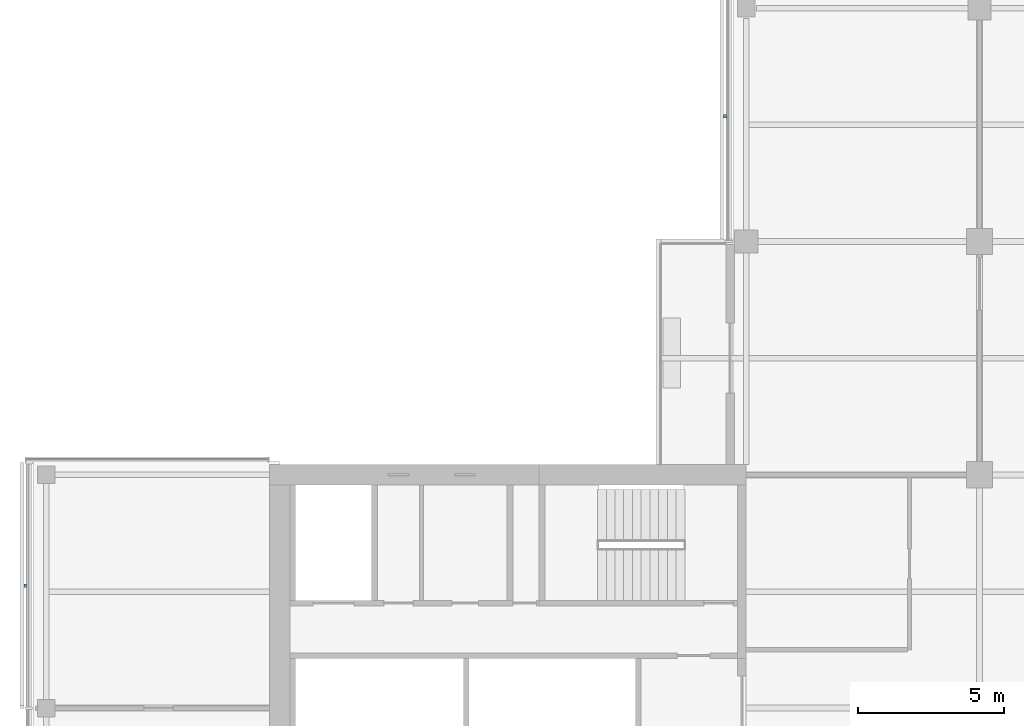
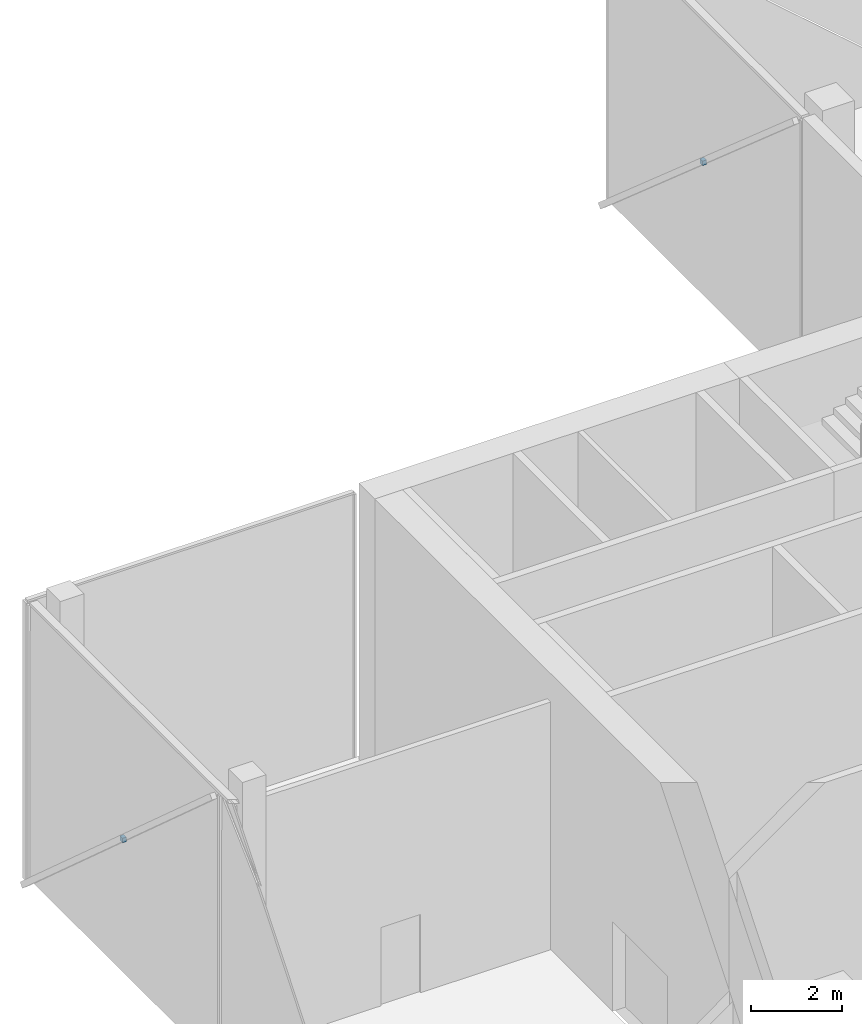
# One storey, part 16 of 20: 2 discrete accessories.
"""IFC4 building model written with IfcOpenShell, lengths in metres."""

from ifc_helpers import new_model, si_unit, direction, frame, origin, origin_2d, place, context, subcontext, project, spatial, rectangle, extrude, material, type_object, element, save


model = new_model("IFC4")

# Units and contexts
model_context = context("Model", 3, precision=1e-05, world=origin(), true_north=direction((0.0, 1.0)))
body_context = subcontext(model_context, "Body", "Model", "MODEL_VIEW")
ifc_project = project(units=[si_unit("LENGTHUNIT", "METRE"), si_unit("AREAUNIT", "SQUARE_METRE"), si_unit("VOLUMEUNIT", "CUBIC_METRE"), si_unit("PLANEANGLEUNIT", "RADIAN"), si_unit("MASSUNIT", "GRAM", prefix="KILO")], contexts=[model_context])

# Site, building, storey
site_placement = place(None, origin())
site = spatial("IfcSite", under=ifc_project, at=site_placement, CompositionType="ELEMENT")
building_placement = place(site_placement, origin())
building = spatial("IfcBuilding", under=site, at=building_placement, Name="Crosswind Convention Tower", CompositionType="ELEMENT")
storey_placement = place(building_placement, frame((0.0, 0.0, 171.5)))
storey = spatial("IfcBuildingStorey", under=building, at=storey_placement, Name="L36", CompositionType="ELEMENT", Elevation=171.5)

# Discrete accessories
ifc_material = material(Name="Stainless steel", Category="steel")
discrete_accessory_type = type_object("IfcDiscreteAccessoryType", Name="BAGUETTE BRACKET BK4", PredefinedType="BRACKET", material=ifc_material)
for number, where, z_axis, x_axis, name in (
    (1, (112.278076171875, 124.294921875, 3.25244140625), (0.0, 0.0, 1.0), (0.0, -1.0, 0.0), "BK4 baguette bracket"),
    (2, (88.278076171875, 108.206298828125, 3.25244140625), (0.0, 0.0, 1.0), (0.0, -1.0, 0.0), "BK4 baguette bracket"),
):
    element("IfcDiscreteAccessory", number, at=place(storey_placement, frame(where, z_axis=z_axis, x_axis=x_axis)), inside=storey, type_object=discrete_accessory_type, Name=name, PredefinedType="BRACKET", context=body_context, shape_type="SweptSolid", body=[
        extrude(rectangle(XDim=0.1201171875, YDim=0.10009765625, at=origin_2d()), origin(), (0.0, 0.0, 1.0), 0.1201171875),
    ])

save(model, "model.ifc")
